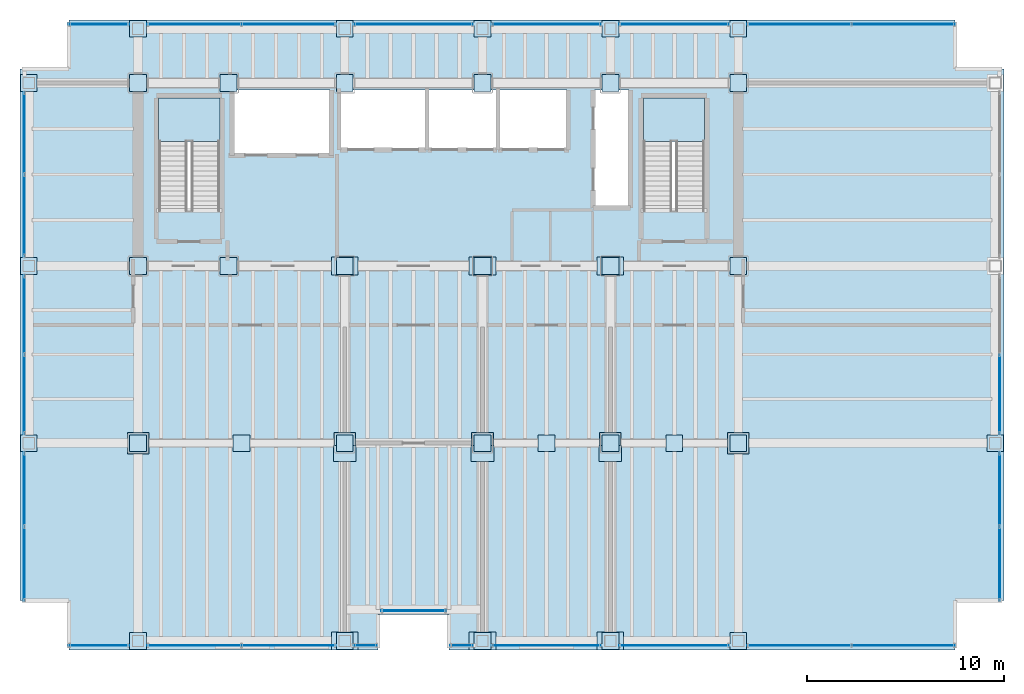
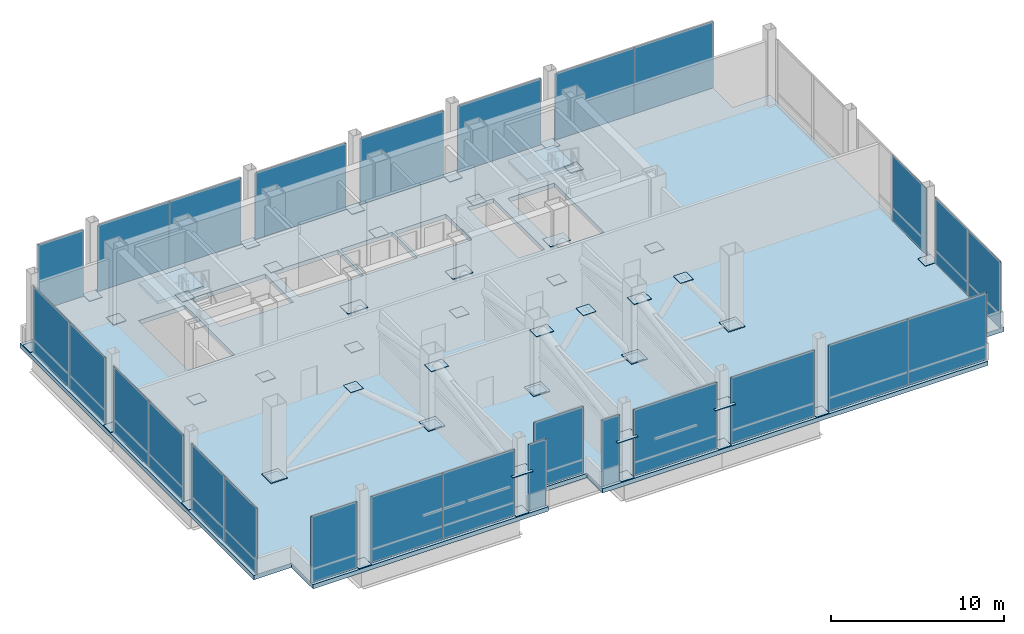
# One storey, part 17 of 20: 75 plates, 3 slabs, 7 openings, 21 elements without a shape of their own.
"""IFC4 building model written with IfcOpenShell, lengths in metres."""

from ifc_helpers import new_model, si_unit, direction, frame, origin, origin_2d, place, context, subcontext, project, spatial, polyline, rectangle, outline, extrude, material, layer, layer_set, type_object, element, aggregate, save


model = new_model("IFC4")

# Units and contexts
model_context = context("Model", 3, precision=1e-05, world=origin(), true_north=direction((0.0, 1.0)))
body_context = subcontext(model_context, "Body", "Model", "MODEL_VIEW")
ifc_project = project(units=[si_unit("LENGTHUNIT", "METRE"), si_unit("AREAUNIT", "SQUARE_METRE"), si_unit("VOLUMEUNIT", "CUBIC_METRE"), si_unit("PLANEANGLEUNIT", "RADIAN"), si_unit("MASSUNIT", "GRAM", prefix="KILO")], contexts=[model_context])

# Site, building, storey
site_placement = place(None, origin())
site = spatial("IfcSite", under=ifc_project, at=site_placement, CompositionType="ELEMENT")
building_placement = place(site_placement, origin())
building = spatial("IfcBuilding", under=site, at=building_placement, Name="Noeulbin Bourse Tower", CompositionType="ELEMENT")
storey_placement = place(building_placement, frame((0.0, 0.0, 100.60009765625)))
storey = spatial("IfcBuildingStorey", under=building, at=storey_placement, Name="L25", CompositionType="ELEMENT", Elevation=100.60009765625)

# Curtain wall, plate
ifc_material_1 = material(Name="Translucent Ceramic-Fritted Glass", Category="glass")
curtain_wall_type = type_object("IfcCurtainWallType", Name="CW-SYS-5", PredefinedType="NOTDEFINED", material=ifc_material_1)
curtain_wall_1_placement = place(storey_placement, origin())
curtain_wall_1 = element("IfcCurtainWall", 1, at=curtain_wall_1_placement, inside=storey, type_object=curtain_wall_type, Name="Unitised Curtain Wall CW-L25-SREC", PredefinedType="NOTDEFINED")
ifc_layer_1 = layer(ifc_material_1, 0.035888671875)
ifc_layer_set_1 = layer_set([ifc_layer_1], Name="Translucent Ceramic-Fritted Glass")
plate_type_1 = type_object("IfcPlateType", Name="CW-SYS-5-PNL", PredefinedType="CURTAIN_PANEL", material=ifc_layer_set_1)
plate_1_placement = place(storey_placement, frame((27.5, 11.47998046875, 0.0), z_axis=(0.0, 0.0, 1.0), x_axis=(1.0, 0.0, 0.0)))
plate_1 = element("IfcPlate", 2, at=plate_1_placement, type_object=plate_type_1, Name="Glazed Curtain Panel CW-L25-SREC-P00", PredefinedType="CURTAIN_PANEL", context=body_context, shape_type="SweptSolid", body=[
    extrude(rectangle(XDim=3.300048828125, YDim=0.035888671875, at=origin_2d()), origin(), (0.0, 0.0, 1.0), 4.679931640625),
])
aggregate(curtain_wall_1, [plate_1])

curtain_wall_2_placement = place(storey_placement, origin())
curtain_wall_2 = element("IfcCurtainWall", 3, at=curtain_wall_2_placement, inside=storey, type_object=curtain_wall_type, Name="Unitised Curtain Wall CW-L25-S1-S1", PredefinedType="NOTDEFINED")
plate_2_placement = place(storey_placement, frame((11.510009765625, 9.719970703125, 0.0), z_axis=(0.0, 0.0, 1.0), x_axis=(1.0, 0.0, 0.0)))
plate_2 = element("IfcPlate", 4, at=plate_2_placement, type_object=plate_type_1, Name="Glazed Curtain Panel CW-L25-S1-S1-P00", PredefinedType="CURTAIN_PANEL", context=body_context, shape_type="SweptSolid", body=[
    extrude(rectangle(XDim=3.06005859375, YDim=0.035888671875, at=origin_2d()), origin(), (0.0, 0.0, 1.0), 4.679931640625),
])
aggregate(curtain_wall_2, [plate_2])

# Curtain wall, plates
curtain_wall_3_placement = place(storey_placement, origin())
curtain_wall_3 = element("IfcCurtainWall", 5, at=curtain_wall_3_placement, inside=storey, type_object=curtain_wall_type, Name="Unitised Curtain Wall CW-L25-S1-S2", PredefinedType="NOTDEFINED")
plate_3_placement = place(storey_placement, frame((16.35498046875, 9.719970703125, 0.0), z_axis=(0.0, 0.0, 1.0), x_axis=(1.0, 0.0, 0.0)))
plate_3 = element("IfcPlate", 6, at=plate_3_placement, type_object=plate_type_1, Name="Glazed Curtain Panel CW-L25-S1-S2-P00", PredefinedType="CURTAIN_PANEL", context=body_context, shape_type="SweptSolid", body=[
    extrude(rectangle(XDim=4.7900390625, YDim=0.035888671875, at=origin_2d()), origin(), (0.0, 0.0, 1.0), 4.679931640625),
])
plate_4_placement = place(storey_placement, frame((21.14501953125, 9.719970703125, 0.0), z_axis=(0.0, 0.0, 1.0), x_axis=(1.0, 0.0, 0.0)))
plate_4 = element("IfcPlate", 7, at=plate_4_placement, type_object=plate_type_1, Name="Glazed Curtain Panel CW-L25-S1-S2-P01", PredefinedType="CURTAIN_PANEL", context=body_context, shape_type="SweptSolid", body=[
    extrude(rectangle(XDim=4.7900390625, YDim=0.035888671875, at=origin_2d()), origin(), (0.0, 0.0, 1.0), 4.679931640625),
])
aggregate(curtain_wall_3, [plate_3, plate_4])

# Curtain wall, plate
curtain_wall_4_placement = place(storey_placement, origin())
curtain_wall_4 = element("IfcCurtainWall", 8, at=curtain_wall_4_placement, inside=storey, type_object=curtain_wall_type, Name="Unitised Curtain Wall CW-L25-S1-S3", PredefinedType="NOTDEFINED")
plate_5_placement = place(storey_placement, frame((25.054931640625, 9.719970703125, 0.0), z_axis=(0.0, 0.0, 1.0), x_axis=(1.0, 0.0, 0.0)))
plate_5 = element("IfcPlate", 9, at=plate_5_placement, type_object=plate_type_1, Name="Glazed Curtain Panel CW-L25-S1-S3-P00", PredefinedType="CURTAIN_PANEL", context=body_context, shape_type="SweptSolid", body=[
    extrude(rectangle(XDim=1.18994140625, YDim=0.035888671875, at=origin_2d()), origin(), (0.0, 0.0, 1.0), 4.679931640625),
])
aggregate(curtain_wall_4, [plate_5])

curtain_wall_5_placement = place(storey_placement, origin())
curtain_wall_5 = element("IfcCurtainWall", 10, at=curtain_wall_5_placement, inside=storey, type_object=curtain_wall_type, Name="Unitised Curtain Wall CW-L25-S2-S1", PredefinedType="NOTDEFINED")
plate_6_placement = place(storey_placement, frame((29.945068359375, 9.719970703125, 0.0), z_axis=(0.0, 0.0, 1.0), x_axis=(1.0, 0.0, 0.0)))
plate_6 = element("IfcPlate", 11, at=plate_6_placement, type_object=plate_type_1, Name="Glazed Curtain Panel CW-L25-S2-S1-P00", PredefinedType="CURTAIN_PANEL", context=body_context, shape_type="SweptSolid", body=[
    extrude(rectangle(XDim=1.18994140625, YDim=0.035888671875, at=origin_2d()), origin(), (0.0, 0.0, 1.0), 4.679931640625),
])
aggregate(curtain_wall_5, [plate_6])

curtain_wall_6_placement = place(storey_placement, origin())
curtain_wall_6 = element("IfcCurtainWall", 12, at=curtain_wall_6_placement, inside=storey, type_object=curtain_wall_type, Name="Unitised Curtain Wall CW-L25-S2-S2", PredefinedType="NOTDEFINED")
plate_7_placement = place(storey_placement, frame((34.25, 9.719970703125, 0.0), z_axis=(0.0, 0.0, 1.0), x_axis=(1.0, 0.0, 0.0)))
plate_7 = element("IfcPlate", 13, at=plate_7_placement, type_object=plate_type_1, Name="Glazed Curtain Panel CW-L25-S2-S2-P00", PredefinedType="CURTAIN_PANEL", context=body_context, shape_type="SweptSolid", body=[
    extrude(rectangle(XDim=5.580078125, YDim=0.035888671875, at=origin_2d()), origin(), (0.0, 0.0, 1.0), 4.679931640625),
])
aggregate(curtain_wall_6, [plate_7])

curtain_wall_7_placement = place(storey_placement, origin())
curtain_wall_7 = element("IfcCurtainWall", 14, at=curtain_wall_7_placement, inside=storey, type_object=curtain_wall_type, Name="Unitised Curtain Wall CW-L25-S2-S3", PredefinedType="NOTDEFINED")
plate_8_placement = place(storey_placement, frame((40.75, 9.719970703125, 0.0), z_axis=(0.0, 0.0, 1.0), x_axis=(1.0, 0.0, 0.0)))
plate_8 = element("IfcPlate", 15, at=plate_8_placement, type_object=plate_type_1, Name="Glazed Curtain Panel CW-L25-S2-S3-P00", PredefinedType="CURTAIN_PANEL", context=body_context, shape_type="SweptSolid", body=[
    extrude(rectangle(XDim=5.580078125, YDim=0.035888671875, at=origin_2d()), origin(), (0.0, 0.0, 1.0), 4.679931640625),
])
aggregate(curtain_wall_7, [plate_8])

# Curtain wall, plates
curtain_wall_8_placement = place(storey_placement, origin())
curtain_wall_8 = element("IfcCurtainWall", 16, at=curtain_wall_8_placement, inside=storey, type_object=curtain_wall_type, Name="Unitised Curtain Wall CW-L25-S2-S4", PredefinedType="NOTDEFINED")
plate_9_placement = place(storey_placement, frame((47.10009765625, 9.719970703125, 0.0), z_axis=(0.0, 0.0, 1.0), x_axis=(1.0, 0.0, 0.0)))
plate_9 = element("IfcPlate", 17, at=plate_9_placement, type_object=plate_type_1, Name="Glazed Curtain Panel CW-L25-S2-S4-P00", PredefinedType="CURTAIN_PANEL", context=body_context, shape_type="SweptSolid", body=[
    extrude(rectangle(XDim=5.280029296875, YDim=0.035888671875, at=origin_2d()), origin(), (0.0, 0.0, 1.0), 4.679931640625),
])
plate_10_placement = place(storey_placement, frame((52.3798828125, 9.719970703125, 0.0), z_axis=(0.0, 0.0, 1.0), x_axis=(1.0, 0.0, 0.0)))
plate_10 = element("IfcPlate", 18, at=plate_10_placement, type_object=plate_type_1, Name="Glazed Curtain Panel CW-L25-S2-S4-P01", PredefinedType="CURTAIN_PANEL", context=body_context, shape_type="SweptSolid", body=[
    extrude(rectangle(XDim=5.280029296875, YDim=0.035888671875, at=origin_2d()), origin(), (0.0, 0.0, 1.0), 4.679931640625),
])
aggregate(curtain_wall_8, [plate_9, plate_10])

# Curtain wall, plate
curtain_wall_9_placement = place(storey_placement, origin())
curtain_wall_9 = element("IfcCurtainWall", 19, at=curtain_wall_9_placement, inside=storey, type_object=curtain_wall_type, Name="Unitised Curtain Wall CW-L25-N-S1", PredefinedType="NOTDEFINED")
plate_11_placement = place(storey_placement, frame((11.510009765625, 41.280029296875, 0.0), z_axis=(0.0, 0.0, 1.0), x_axis=(1.0, 0.0, 0.0)))
plate_11 = element("IfcPlate", 20, at=plate_11_placement, type_object=plate_type_1, Name="Glazed Curtain Panel CW-L25-N-S1-P00", PredefinedType="CURTAIN_PANEL", context=body_context, shape_type="SweptSolid", body=[
    extrude(rectangle(XDim=3.06005859375, YDim=0.035888671875, at=origin_2d()), origin(), (0.0, 0.0, 1.0), 4.679931640625),
])
aggregate(curtain_wall_9, [plate_11])

# Curtain wall, plates
curtain_wall_10_placement = place(storey_placement, origin())
curtain_wall_10 = element("IfcCurtainWall", 21, at=curtain_wall_10_placement, inside=storey, type_object=curtain_wall_type, Name="Unitised Curtain Wall CW-L25-N-S2", PredefinedType="NOTDEFINED")
plate_12_placement = place(storey_placement, frame((16.35498046875, 41.280029296875, 0.0), z_axis=(0.0, 0.0, 1.0), x_axis=(1.0, 0.0, 0.0)))
plate_12 = element("IfcPlate", 22, at=plate_12_placement, type_object=plate_type_1, Name="Glazed Curtain Panel CW-L25-N-S2-P00", PredefinedType="CURTAIN_PANEL", context=body_context, shape_type="SweptSolid", body=[
    extrude(rectangle(XDim=4.7900390625, YDim=0.035888671875, at=origin_2d()), origin(), (0.0, 0.0, 1.0), 4.679931640625),
])
plate_13_placement = place(storey_placement, frame((21.14501953125, 41.280029296875, 0.0), z_axis=(0.0, 0.0, 1.0), x_axis=(1.0, 0.0, 0.0)))
plate_13 = element("IfcPlate", 23, at=plate_13_placement, type_object=plate_type_1, Name="Glazed Curtain Panel CW-L25-N-S2-P01", PredefinedType="CURTAIN_PANEL", context=body_context, shape_type="SweptSolid", body=[
    extrude(rectangle(XDim=4.7900390625, YDim=0.035888671875, at=origin_2d()), origin(), (0.0, 0.0, 1.0), 4.679931640625),
])
aggregate(curtain_wall_10, [plate_12, plate_13])

# Curtain wall, plate
curtain_wall_11_placement = place(storey_placement, origin())
curtain_wall_11 = element("IfcCurtainWall", 24, at=curtain_wall_11_placement, inside=storey, type_object=curtain_wall_type, Name="Unitised Curtain Wall CW-L25-N-S3", PredefinedType="NOTDEFINED")
plate_14_placement = place(storey_placement, frame((27.5, 41.280029296875, 0.0), z_axis=(0.0, 0.0, 1.0), x_axis=(1.0, 0.0, 0.0)))
plate_14 = element("IfcPlate", 25, at=plate_14_placement, type_object=plate_type_1, Name="Glazed Curtain Panel CW-L25-N-S3-P00", PredefinedType="CURTAIN_PANEL", context=body_context, shape_type="SweptSolid", body=[
    extrude(rectangle(XDim=6.080078125, YDim=0.035888671875, at=origin_2d()), origin(), (0.0, 0.0, 1.0), 4.679931640625),
])
aggregate(curtain_wall_11, [plate_14])

curtain_wall_12_placement = place(storey_placement, origin())
curtain_wall_12 = element("IfcCurtainWall", 26, at=curtain_wall_12_placement, inside=storey, type_object=curtain_wall_type, Name="Unitised Curtain Wall CW-L25-N-S4", PredefinedType="NOTDEFINED")
plate_15_placement = place(storey_placement, frame((34.25, 41.280029296875, 0.0), z_axis=(0.0, 0.0, 1.0), x_axis=(1.0, 0.0, 0.0)))
plate_15 = element("IfcPlate", 27, at=plate_15_placement, type_object=plate_type_1, Name="Glazed Curtain Panel CW-L25-N-S4-P00", PredefinedType="CURTAIN_PANEL", context=body_context, shape_type="SweptSolid", body=[
    extrude(rectangle(XDim=5.580078125, YDim=0.035888671875, at=origin_2d()), origin(), (0.0, 0.0, 1.0), 4.679931640625),
])
aggregate(curtain_wall_12, [plate_15])

curtain_wall_13_placement = place(storey_placement, origin())
curtain_wall_13 = element("IfcCurtainWall", 28, at=curtain_wall_13_placement, inside=storey, type_object=curtain_wall_type, Name="Unitised Curtain Wall CW-L25-N-S5", PredefinedType="NOTDEFINED")
plate_16_placement = place(storey_placement, frame((40.75, 41.280029296875, 0.0), z_axis=(0.0, 0.0, 1.0), x_axis=(1.0, 0.0, 0.0)))
plate_16 = element("IfcPlate", 29, at=plate_16_placement, type_object=plate_type_1, Name="Glazed Curtain Panel CW-L25-N-S5-P00", PredefinedType="CURTAIN_PANEL", context=body_context, shape_type="SweptSolid", body=[
    extrude(rectangle(XDim=5.580078125, YDim=0.035888671875, at=origin_2d()), origin(), (0.0, 0.0, 1.0), 4.679931640625),
])
aggregate(curtain_wall_13, [plate_16])

# Curtain wall, plates
curtain_wall_14_placement = place(storey_placement, origin())
curtain_wall_14 = element("IfcCurtainWall", 30, at=curtain_wall_14_placement, inside=storey, type_object=curtain_wall_type, Name="Unitised Curtain Wall CW-L25-N-S6", PredefinedType="NOTDEFINED")
plate_17_placement = place(storey_placement, frame((47.10009765625, 41.280029296875, 0.0), z_axis=(0.0, 0.0, 1.0), x_axis=(1.0, 0.0, 0.0)))
plate_17 = element("IfcPlate", 31, at=plate_17_placement, type_object=plate_type_1, Name="Glazed Curtain Panel CW-L25-N-S6-P00", PredefinedType="CURTAIN_PANEL", context=body_context, shape_type="SweptSolid", body=[
    extrude(rectangle(XDim=5.280029296875, YDim=0.035888671875, at=origin_2d()), origin(), (0.0, 0.0, 1.0), 4.679931640625),
])
plate_18_placement = place(storey_placement, frame((52.3798828125, 41.280029296875, 0.0), z_axis=(0.0, 0.0, 1.0), x_axis=(1.0, 0.0, 0.0)))
plate_18 = element("IfcPlate", 32, at=plate_18_placement, type_object=plate_type_1, Name="Glazed Curtain Panel CW-L25-N-S6-P01", PredefinedType="CURTAIN_PANEL", context=body_context, shape_type="SweptSolid", body=[
    extrude(rectangle(XDim=5.280029296875, YDim=0.035888671875, at=origin_2d()), origin(), (0.0, 0.0, 1.0), 4.679931640625),
])
aggregate(curtain_wall_14, [plate_17, plate_18])

curtain_wall_15_placement = place(storey_placement, origin())
curtain_wall_15 = element("IfcCurtainWall", 33, at=curtain_wall_15_placement, inside=storey, type_object=curtain_wall_type, Name="Unitised Curtain Wall CW-L25-W-S1", PredefinedType="NOTDEFINED")
plate_19_placement = place(storey_placement, frame((7.719970703125, 13.8701171875, 0.0), z_axis=(0.0, 0.0, 1.0), x_axis=(0.0, 1.0, 0.0)))
plate_19 = element("IfcPlate", 34, at=plate_19_placement, type_object=plate_type_1, Name="Glazed Curtain Panel CW-L25-W-S1-P00", PredefinedType="CURTAIN_PANEL", context=body_context, shape_type="SweptSolid", body=[
    extrude(rectangle(XDim=3.780029296875, YDim=0.035888671875, at=origin_2d()), origin(), (0.0, 0.0, 1.0), 4.679931640625),
])
plate_20_placement = place(storey_placement, frame((7.719970703125, 17.64990234375, 0.0), z_axis=(0.0, 0.0, 1.0), x_axis=(0.0, 1.0, 0.0)))
plate_20 = element("IfcPlate", 35, at=plate_20_placement, type_object=plate_type_1, Name="Glazed Curtain Panel CW-L25-W-S1-P01", PredefinedType="CURTAIN_PANEL", context=body_context, shape_type="SweptSolid", body=[
    extrude(rectangle(XDim=3.780029296875, YDim=0.035888671875, at=origin_2d()), origin(), (0.0, 0.0, 1.0), 4.679931640625),
])
aggregate(curtain_wall_15, [plate_19, plate_20])

curtain_wall_16_placement = place(storey_placement, origin())
curtain_wall_16 = element("IfcCurtainWall", 36, at=curtain_wall_16_placement, inside=storey, type_object=curtain_wall_type, Name="Unitised Curtain Wall CW-L25-W-S2", PredefinedType="NOTDEFINED")
plate_21_placement = place(storey_placement, frame((7.719970703125, 22.47998046875, 0.0), z_axis=(0.0, 0.0, 1.0), x_axis=(0.0, 1.0, 0.0)))
plate_21 = element("IfcPlate", 37, at=plate_21_placement, type_object=plate_type_1, Name="Glazed Curtain Panel CW-L25-W-S2-P00", PredefinedType="CURTAIN_PANEL", context=body_context, shape_type="SweptSolid", body=[
    extrude(rectangle(XDim=4.0400390625, YDim=0.035888671875, at=origin_2d()), origin(), (0.0, 0.0, 1.0), 4.679931640625),
])
plate_22_placement = place(storey_placement, frame((7.719970703125, 26.52001953125, 0.0), z_axis=(0.0, 0.0, 1.0), x_axis=(0.0, 1.0, 0.0)))
plate_22 = element("IfcPlate", 38, at=plate_22_placement, type_object=plate_type_1, Name="Glazed Curtain Panel CW-L25-W-S2-P01", PredefinedType="CURTAIN_PANEL", context=body_context, shape_type="SweptSolid", body=[
    extrude(rectangle(XDim=4.0400390625, YDim=0.035888671875, at=origin_2d()), origin(), (0.0, 0.0, 1.0), 4.679931640625),
])
aggregate(curtain_wall_16, [plate_21, plate_22])

curtain_wall_17_placement = place(storey_placement, origin())
curtain_wall_17 = element("IfcCurtainWall", 39, at=curtain_wall_17_placement, inside=storey, type_object=curtain_wall_type, Name="Unitised Curtain Wall CW-L25-W-S3", PredefinedType="NOTDEFINED")
plate_23_placement = place(storey_placement, frame((7.719970703125, 31.554931640625, 0.0), z_axis=(0.0, 0.0, 1.0), x_axis=(0.0, 1.0, 0.0)))
plate_23 = element("IfcPlate", 40, at=plate_23_placement, type_object=plate_type_1, Name="Glazed Curtain Panel CW-L25-W-S3-P00", PredefinedType="CURTAIN_PANEL", context=body_context, shape_type="SweptSolid", body=[
    extrude(rectangle(XDim=4.18994140625, YDim=0.035888671875, at=origin_2d()), origin(), (0.0, 0.0, 1.0), 4.679931640625),
])
plate_24_placement = place(storey_placement, frame((7.719970703125, 35.7451171875, 0.0), z_axis=(0.0, 0.0, 1.0), x_axis=(0.0, 1.0, 0.0)))
plate_24 = element("IfcPlate", 41, at=plate_24_placement, type_object=plate_type_1, Name="Glazed Curtain Panel CW-L25-W-S3-P01", PredefinedType="CURTAIN_PANEL", context=body_context, shape_type="SweptSolid", body=[
    extrude(rectangle(XDim=4.18994140625, YDim=0.035888671875, at=origin_2d()), origin(), (0.0, 0.0, 1.0), 4.679931640625),
])
aggregate(curtain_wall_17, [plate_23, plate_24])

curtain_wall_18_placement = place(storey_placement, origin())
curtain_wall_18 = element("IfcCurtainWall", 42, at=curtain_wall_18_placement, inside=storey, type_object=curtain_wall_type, Name="Unitised Curtain Wall CW-L25-E-S1", PredefinedType="NOTDEFINED")
plate_25_placement = place(storey_placement, frame((57.280029296875, 13.8701171875, 0.0), z_axis=(0.0, 0.0, 1.0), x_axis=(0.0, 1.0, 0.0)))
plate_25 = element("IfcPlate", 43, at=plate_25_placement, type_object=plate_type_1, Name="Glazed Curtain Panel CW-L25-E-S1-P00", PredefinedType="CURTAIN_PANEL", context=body_context, shape_type="SweptSolid", body=[
    extrude(rectangle(XDim=3.780029296875, YDim=0.035888671875, at=origin_2d()), origin(), (0.0, 0.0, 1.0), 4.679931640625),
])
plate_26_placement = place(storey_placement, frame((57.280029296875, 17.64990234375, 0.0), z_axis=(0.0, 0.0, 1.0), x_axis=(0.0, 1.0, 0.0)))
plate_26 = element("IfcPlate", 44, at=plate_26_placement, type_object=plate_type_1, Name="Glazed Curtain Panel CW-L25-E-S1-P01", PredefinedType="CURTAIN_PANEL", context=body_context, shape_type="SweptSolid", body=[
    extrude(rectangle(XDim=3.780029296875, YDim=0.035888671875, at=origin_2d()), origin(), (0.0, 0.0, 1.0), 4.679931640625),
])
aggregate(curtain_wall_18, [plate_25, plate_26])

# Curtain wall, plate
curtain_wall_19_placement = place(storey_placement, origin())
curtain_wall_19 = element("IfcCurtainWall", 45, at=curtain_wall_19_placement, inside=storey, type_object=curtain_wall_type, Name="Unitised Curtain Wall CW-L25-E-S2", PredefinedType="NOTDEFINED")
plate_27_placement = place(storey_placement, frame((57.280029296875, 22.47998046875, 0.0), z_axis=(0.0, 0.0, 1.0), x_axis=(0.0, 1.0, 0.0)))
plate_27 = element("IfcPlate", 46, at=plate_27_placement, type_object=plate_type_1, Name="Glazed Curtain Panel CW-L25-E-S2-P00", PredefinedType="CURTAIN_PANEL", context=body_context, shape_type="SweptSolid", body=[
    extrude(rectangle(XDim=4.0400390625, YDim=0.035888671875, at=origin_2d()), origin(), (0.0, 0.0, 1.0), 4.679931640625),
])
aggregate(curtain_wall_19, [plate_27])

# Plates
ifc_material_2 = material(Name="Steel S355", Category="steel")
ifc_layer_2 = layer(ifc_material_2, 0.030029296875)
ifc_layer_set_2 = layer_set([ifc_layer_2], Name="Steel S355")
plate_type_2 = type_object("IfcPlateType", Name="PLT-BN1", PredefinedType="USERDEFINED", material=ifc_layer_set_2)
for number, where, z_axis, x_axis, name in (
    (47, (13.5, 29.0, 0.0048828125), (0.0, 0.0, 1.0), (1.0, 0.0, 0.0), "Mega-Column Splice Plate BN1-L25-01"),
    (48, (13.5, 38.300048828125, 0.0048828125), (0.0, 0.0, 1.0), (1.0, 0.0, 0.0), "Mega-Column Splice Plate BN1-L25-02"),
    (49, (18.10009765625, 29.0, 0.0048828125), (0.0, 0.0, 1.0), (1.0, 0.0, 0.0), "Mega-Column Splice Plate BN1-L25-03"),
    (50, (18.10009765625, 38.300048828125, 0.0048828125), (0.0, 0.0, 1.0), (1.0, 0.0, 0.0), "Mega-Column Splice Plate BN1-L25-04"),
    (51, (24.0, 29.0, 0.0048828125), (0.0, 0.0, 1.0), (1.0, 0.0, 0.0), "Mega-Column Splice Plate BN1-L25-05"),
    (52, (24.0, 38.300048828125, 0.0048828125), (0.0, 0.0, 1.0), (1.0, 0.0, 0.0), "Mega-Column Splice Plate BN1-L25-06"),
    (53, (31.0, 29.0, 0.0048828125), (0.0, 0.0, 1.0), (1.0, 0.0, 0.0), "Mega-Column Splice Plate BN1-L25-07"),
    (54, (31.0, 38.300048828125, 0.0048828125), (0.0, 0.0, 1.0), (1.0, 0.0, 0.0), "Mega-Column Splice Plate BN1-L25-08"),
    (55, (37.5, 29.0, 0.0048828125), (0.0, 0.0, 1.0), (1.0, 0.0, 0.0), "Mega-Column Splice Plate BN1-L25-09"),
    (56, (37.5, 38.300048828125, 0.0048828125), (0.0, 0.0, 1.0), (1.0, 0.0, 0.0), "Mega-Column Splice Plate BN1-L25-10"),
    (57, (44.0, 29.0, 0.0048828125), (0.0, 0.0, 1.0), (1.0, 0.0, 0.0), "Mega-Column Splice Plate BN1-L25-11"),
    (58, (44.0, 38.300048828125, 0.0048828125), (0.0, 0.0, 1.0), (1.0, 0.0, 0.0), "Mega-Column Splice Plate BN1-L25-12"),
    (59, (13.5, 20.0, 0.0048828125), (0.0, 0.0, 1.0), (1.0, 0.0, 0.0), "Mega-Column Splice Plate BN1-L25-13"),
    (60, (24.0, 20.0, 0.0048828125), (0.0, 0.0, 1.0), (1.0, 0.0, 0.0), "Mega-Column Splice Plate BN1-L25-14"),
    (61, (31.0, 20.0, 0.0048828125), (0.0, 0.0, 1.0), (1.0, 0.0, 0.0), "Mega-Column Splice Plate BN1-L25-15"),
    (62, (37.5, 20.0, 0.0048828125), (0.0, 0.0, 1.0), (1.0, 0.0, 0.0), "Mega-Column Splice Plate BN1-L25-16"),
    (63, (44.0, 20.0, 0.0048828125), (0.0, 0.0, 1.0), (1.0, 0.0, 0.0), "Mega-Column Splice Plate BN1-L25-17"),
    (64, (7.949951171875, 20.0, 0.0048828125), (0.0, 0.0, 1.0), (1.0, 0.0, 0.0), "Perimeter Column Splice Plate BN1-L25-01"),
    (65, (7.949951171875, 29.0, 0.0048828125), (0.0, 0.0, 1.0), (1.0, 0.0, 0.0), "Perimeter Column Splice Plate BN1-L25-02"),
    (66, (7.949951171875, 38.300048828125, 0.0048828125), (0.0, 0.0, 1.0), (1.0, 0.0, 0.0), "Perimeter Column Splice Plate BN1-L25-03"),
    (67, (13.5, 9.949951171875, 0.0048828125), (0.0, 0.0, 1.0), (1.0, 0.0, 0.0), "Perimeter Column Splice Plate BN1-L25-04"),
    (68, (13.5, 41.050048828125, 0.0048828125), (0.0, 0.0, 1.0), (1.0, 0.0, 0.0), "Perimeter Column Splice Plate BN1-L25-05"),
    (69, (24.0, 9.949951171875, 0.0048828125), (0.0, 0.0, 1.0), (1.0, 0.0, 0.0), "Perimeter Column Splice Plate BN1-L25-06"),
    (70, (24.0, 41.050048828125, 0.0048828125), (0.0, 0.0, 1.0), (1.0, 0.0, 0.0), "Perimeter Column Splice Plate BN1-L25-07"),
    (71, (31.0, 9.949951171875, 0.0048828125), (0.0, 0.0, 1.0), (1.0, 0.0, 0.0), "Perimeter Column Splice Plate BN1-L25-08"),
    (72, (31.0, 41.050048828125, 0.0048828125), (0.0, 0.0, 1.0), (1.0, 0.0, 0.0), "Perimeter Column Splice Plate BN1-L25-09"),
    (73, (37.5, 9.949951171875, 0.0048828125), (0.0, 0.0, 1.0), (1.0, 0.0, 0.0), "Perimeter Column Splice Plate BN1-L25-10"),
    (74, (37.5, 41.050048828125, 0.0048828125), (0.0, 0.0, 1.0), (1.0, 0.0, 0.0), "Perimeter Column Splice Plate BN1-L25-11"),
    (75, (44.0, 9.949951171875, 0.0048828125), (0.0, 0.0, 1.0), (1.0, 0.0, 0.0), "Perimeter Column Splice Plate BN1-L25-12"),
    (76, (44.0, 41.050048828125, 0.0048828125), (0.0, 0.0, 1.0), (1.0, 0.0, 0.0), "Perimeter Column Splice Plate BN1-L25-13"),
    (77, (57.050048828125, 20.0, 0.0048828125), (0.0, 0.0, 1.0), (1.0, 0.0, 0.0), "Perimeter Column Splice Plate BN1-L25-14"),
    (78, (18.75, 20.0, 4.48486328125), (0.0, 0.0, 1.0), (1.0, 0.0, 0.0), "Belt Truss Apex Splice Plate BN1-L25-1"),
    (79, (34.25, 20.0, 4.48486328125), (0.0, 0.0, 1.0), (1.0, 0.0, 0.0), "Belt Truss Apex Splice Plate BN1-L25-2"),
    (80, (40.75, 20.0, 4.48486328125), (0.0, 0.0, 1.0), (1.0, 0.0, 0.0), "Belt Truss Apex Splice Plate BN1-L25-3"),
):
    element("IfcPlate", number, at=place(storey_placement, frame(where, z_axis=z_axis, x_axis=x_axis)), inside=storey, type_object=plate_type_2, Name=name, ObjectType="SPLICE PLATE", PredefinedType="USERDEFINED", context=body_context, shape_type="SweptSolid", body=[
        extrude(rectangle(XDim=0.85009765625, YDim=0.85009765625, at=origin_2d()), origin(), (0.0, 0.0, 1.0), 0.030029296875),
    ])
ifc_material_3 = material(Name="Steel S460", Category="steel")
ifc_layer_3 = layer(ifc_material_3, 0.035888671875)
ifc_layer_set_3 = layer_set([ifc_layer_3], Name="Steel S460")
plate_type_3 = type_object("IfcPlateType", Name="PLT-KN2", PredefinedType="USERDEFINED", material=ifc_layer_set_3)
for number, where, z_axis, x_axis, name in (
    (81, (13.5, 20.0, 0.0419921875), (0.0, 0.0, 1.0), (1.0, 0.0, 0.0), "Belt Truss West Gusset Plate KN2-L25-1A"),
    (82, (24.0, 20.0, 0.0419921875), (0.0, 0.0, 1.0), (1.0, 0.0, 0.0), "Belt Truss East Gusset Plate KN2-L25-1B"),
    (83, (31.0, 20.0, 0.0419921875), (0.0, 0.0, 1.0), (1.0, 0.0, 0.0), "Belt Truss West Gusset Plate KN2-L25-2A"),
    (84, (37.5, 20.0, 0.0419921875), (0.0, 0.0, 1.0), (1.0, 0.0, 0.0), "Belt Truss East Gusset Plate KN2-L25-2B"),
    (85, (44.0, 20.0, 0.0419921875), (0.0, 0.0, 1.0), (1.0, 0.0, 0.0), "Belt Truss East Gusset Plate KN2-L25-3B"),
):
    element("IfcPlate", number, at=place(storey_placement, frame(where, z_axis=z_axis, x_axis=x_axis)), inside=storey, type_object=plate_type_3, Name=name, ObjectType="GUSSET PLATE", PredefinedType="USERDEFINED", context=body_context, shape_type="SweptSolid", body=[
        extrude(rectangle(XDim=1.10009765625, YDim=1.10009765625, at=origin_2d()), origin(), (0.0, 0.0, 1.0), 0.035888671875),
    ])
ifc_layer_4 = layer(ifc_material_3, 0.0400390625)
ifc_layer_set_4 = layer_set([ifc_layer_4], Name="Steel S460")
plate_type_4 = type_object("IfcPlateType", Name="PLT-ON1", PredefinedType="USERDEFINED", material=ifc_layer_set_4)
for number, where, z_axis, x_axis, name in (
    (86, (24.0, 29.0, 2.829833984375), (0.0, 0.0, 1.0), (1.0, 0.0, 0.0), "Outrigger North Gusset Plate ON1-L25-1A"),
    (87, (24.0, 9.949951171875, 2.829833984375), (0.0, 0.0, 1.0), (1.0, 0.0, 0.0), "Outrigger South Gusset Plate ON1-L25-1B"),
    (88, (31.0, 29.0, 2.829833984375), (0.0, 0.0, 1.0), (1.0, 0.0, 0.0), "Outrigger North Gusset Plate ON1-L25-2A"),
    (89, (31.0, 9.949951171875, 2.829833984375), (0.0, 0.0, 1.0), (1.0, 0.0, 0.0), "Outrigger South Gusset Plate ON1-L25-2B"),
    (90, (37.5, 29.0, 2.829833984375), (0.0, 0.0, 1.0), (1.0, 0.0, 0.0), "Outrigger North Gusset Plate ON1-L25-3A"),
    (91, (37.5, 9.949951171875, 2.829833984375), (0.0, 0.0, 1.0), (1.0, 0.0, 0.0), "Outrigger South Gusset Plate ON1-L25-3B"),
):
    element("IfcPlate", number, at=place(storey_placement, frame(where, z_axis=z_axis, x_axis=x_axis)), inside=storey, type_object=plate_type_4, Name=name, ObjectType="GUSSET PLATE", PredefinedType="USERDEFINED", context=body_context, shape_type="SweptSolid", body=[
        extrude(rectangle(XDim=1.35009765625, YDim=0.89990234375, at=origin_2d()), origin(), (0.0, 0.0, 1.0), 0.0400390625),
    ])
ifc_layer_5 = layer(ifc_material_3, 0.035888671875)
ifc_layer_set_5 = layer_set([ifc_layer_5], Name="Steel S460")
plate_type_5 = type_object("IfcPlateType", Name="PLT-ON2", PredefinedType="USERDEFINED", material=ifc_layer_set_5)
for number, where, z_axis, x_axis, name in (
    (92, (24.0, 19.47509765625, 4.48193359375), (0.0, 0.0, 1.0), (1.0, 0.0, 0.0), "Outrigger Apex Gusset Plate ON2-L25-1"),
    (93, (31.0, 19.47509765625, 4.48193359375), (0.0, 0.0, 1.0), (1.0, 0.0, 0.0), "Outrigger Apex Gusset Plate ON2-L25-2"),
    (94, (37.5, 19.47509765625, 4.48193359375), (0.0, 0.0, 1.0), (1.0, 0.0, 0.0), "Outrigger Apex Gusset Plate ON2-L25-3"),
):
    element("IfcPlate", number, at=place(storey_placement, frame(where, z_axis=z_axis, x_axis=x_axis)), inside=storey, type_object=plate_type_5, Name=name, ObjectType="GUSSET PLATE", PredefinedType="USERDEFINED", context=body_context, shape_type="SweptSolid", body=[
        extrude(rectangle(XDim=1.14990234375, YDim=0.800048828125, at=origin_2d()), origin(), (0.0, 0.0, 1.0), 0.035888671875),
    ])

# Stair, slab
ifc_material_4 = material(Name="Concrete C40/50", Category="concrete")
stair_type = type_object("IfcStairType", Name="STR-CORE-1560", PredefinedType="HALF_TURN_STAIR", material=ifc_material_4)
stair_1_placement = place(storey_placement, origin())
stair_1 = element("IfcStair", 95, at=stair_1_placement, inside=storey, type_object=stair_type, Name="L25 ST-1", PredefinedType="HALF_TURN_STAIR")
ifc_layer_6 = layer(ifc_material_4, 0.199951171875)
ifc_layer_set_6 = layer_set([ifc_layer_6], Name="Concrete C40/50")
slab_type_1 = type_object("IfcSlabType", Name="SLB-LND-200", PredefinedType="LANDING", material=ifc_layer_set_6)
slab_1_placement = place(storey_placement, frame((0.0, 0.0, 2.5)))
slab_1 = element("IfcSlab", 96, at=slab_1_placement, type_object=slab_type_1, Name="ST-1 landing 1", PredefinedType="LANDING", context=body_context, shape_type="SweptSolid", body=[
    extrude(outline(polyline([(17.64990234375, 35.337890625), (17.64990234375, 37.5439453125), (14.550048828125, 37.5439453125), (14.550048828125, 35.337890625), (17.64990234375, 35.337890625)])), origin(), (0.0, 0.0, 1.0), 0.199951171875),
])
aggregate(stair_1, [slab_1])

stair_2_placement = place(storey_placement, origin())
stair_2 = element("IfcStair", 97, at=stair_2_placement, inside=storey, type_object=stair_type, Name="L25 ST-2", PredefinedType="HALF_TURN_STAIR")
slab_2_placement = place(storey_placement, frame((0.0, 0.0, 2.5)))
slab_2 = element("IfcSlab", 98, at=slab_2_placement, type_object=slab_type_1, Name="ST-2 landing 1", PredefinedType="LANDING", context=body_context, shape_type="SweptSolid", body=[
    extrude(outline(polyline([(42.280029296875, 35.337890625), (42.280029296875, 37.5439453125), (39.179931640625, 37.5439453125), (39.179931640625, 35.337890625), (42.280029296875, 35.337890625)])), origin(), (0.0, 0.0, 1.0), 0.199951171875),
])
aggregate(stair_2, [slab_2])

# Slab, openings
ifc_material_5 = material(Name="Concrete C50/60", Category="concrete")
ifc_layer_7 = layer(ifc_material_5, 0.300048828125)
ifc_layer_set_7 = layer_set([ifc_layer_7], Name="Concrete C50/60")
slab_type_2 = type_object("IfcSlabType", Name="SLB-OUT-300", PredefinedType="FLOOR", material=ifc_layer_set_7)
slab_3_placement = place(storey_placement, frame((0.0, 0.0, -0.300048828125)))
slab_3 = element("IfcSlab", 99, at=slab_3_placement, inside=storey, type_object=slab_type_2, Name="Tower Structural Floor Slab L25", PredefinedType="FLOOR", context=body_context, shape_type="SweptSolid", body=[
    extrude(outline(polyline([(10.0, 9.5), (25.699951171875, 9.5), (25.699951171875, 11.300048828125), (29.300048828125, 11.300048828125), (29.300048828125, 9.5), (55.0, 9.5), (55.0, 12.0), (57.5, 12.0), (57.5, 39.0), (55.0, 39.0), (55.0, 41.5), (10.0, 41.5), (10.0, 39.0), (7.5, 39.0), (7.5, 12.0), (10.0, 12.0), (10.0, 9.5)]), holes=[polyline([(17.64990234375, 31.81005859375), (17.64990234375, 37.5439453125), (14.550048828125, 37.5439453125), (14.550048828125, 31.81005859375), (17.64990234375, 31.81005859375)]), polyline([(42.280029296875, 31.81005859375), (42.280029296875, 37.5439453125), (39.179931640625, 37.5439453125), (39.179931640625, 31.81005859375), (42.280029296875, 31.81005859375)]), polyline([(18.35009765625, 34.699951171875), (23.25, 34.699951171875), (23.25, 37.949951171875), (18.35009765625, 37.949951171875), (18.35009765625, 34.699951171875)]), polyline([(36.699951171875, 32.050048828125), (38.449951171875, 32.050048828125), (38.449951171875, 37.949951171875), (36.699951171875, 37.949951171875), (36.699951171875, 32.050048828125)]), polyline([(23.800048828125, 35.0), (28.10009765625, 35.0), (28.10009765625, 37.949951171875), (23.800048828125, 37.949951171875), (23.800048828125, 35.0)]), polyline([(28.25, 35.0), (31.699951171875, 35.0), (31.699951171875, 37.949951171875), (28.25, 37.949951171875), (28.25, 35.0)]), polyline([(31.85009765625, 35.0), (35.300048828125, 35.0), (35.300048828125, 37.949951171875), (31.85009765625, 37.949951171875), (31.85009765625, 35.0)])]), origin(), (0.0, 0.0, 1.0), 0.300048828125),
])
opening_1_placement = place(slab_3_placement, frame((0.0, 0.0, -0.010009765625)))
element("IfcOpeningElement", 100, at=opening_1_placement, cuts=slab_3, Name="Slab Shaft Opening SLB-L25-TWR-1", PredefinedType="OPENING", context=body_context, shape_type="SweptSolid", body=[
    extrude(outline(polyline([(17.64990234375, 31.81005859375), (17.64990234375, 37.5439453125), (14.550048828125, 37.5439453125), (14.550048828125, 31.81005859375), (17.64990234375, 31.81005859375)])), origin(), (0.0, 0.0, 1.0), 0.320068359375),
])
opening_2_placement = place(slab_3_placement, frame((0.0, 0.0, -0.010009765625)))
element("IfcOpeningElement", 101, at=opening_2_placement, cuts=slab_3, Name="Slab Shaft Opening SLB-L25-TWR-2", PredefinedType="OPENING", context=body_context, shape_type="SweptSolid", body=[
    extrude(outline(polyline([(42.280029296875, 31.81005859375), (42.280029296875, 37.5439453125), (39.179931640625, 37.5439453125), (39.179931640625, 31.81005859375), (42.280029296875, 31.81005859375)])), origin(), (0.0, 0.0, 1.0), 0.320068359375),
])
opening_3_placement = place(slab_3_placement, frame((0.0, 0.0, -0.010009765625)))
element("IfcOpeningElement", 102, at=opening_3_placement, cuts=slab_3, Name="Slab Shaft Opening SLB-L25-TWR-3", PredefinedType="OPENING", context=body_context, shape_type="SweptSolid", body=[
    extrude(outline(polyline([(18.35009765625, 34.699951171875), (23.25, 34.699951171875), (23.25, 37.949951171875), (18.35009765625, 37.949951171875), (18.35009765625, 34.699951171875)])), origin(), (0.0, 0.0, 1.0), 0.320068359375),
])
opening_4_placement = place(slab_3_placement, frame((0.0, 0.0, -0.010009765625)))
element("IfcOpeningElement", 103, at=opening_4_placement, cuts=slab_3, Name="Slab Shaft Opening SLB-L25-TWR-4", PredefinedType="OPENING", context=body_context, shape_type="SweptSolid", body=[
    extrude(outline(polyline([(36.699951171875, 32.050048828125), (38.449951171875, 32.050048828125), (38.449951171875, 37.949951171875), (36.699951171875, 37.949951171875), (36.699951171875, 32.050048828125)])), origin(), (0.0, 0.0, 1.0), 0.320068359375),
])
opening_5_placement = place(slab_3_placement, frame((0.0, 0.0, -0.010009765625)))
element("IfcOpeningElement", 104, at=opening_5_placement, cuts=slab_3, Name="Slab Shaft Opening SLB-L25-TWR-5", PredefinedType="OPENING", context=body_context, shape_type="SweptSolid", body=[
    extrude(outline(polyline([(23.800048828125, 35.0), (28.10009765625, 35.0), (28.10009765625, 37.949951171875), (23.800048828125, 37.949951171875), (23.800048828125, 35.0)])), origin(), (0.0, 0.0, 1.0), 0.320068359375),
])
opening_6_placement = place(slab_3_placement, frame((0.0, 0.0, -0.010009765625)))
element("IfcOpeningElement", 105, at=opening_6_placement, cuts=slab_3, Name="Slab Shaft Opening SLB-L25-TWR-6", PredefinedType="OPENING", context=body_context, shape_type="SweptSolid", body=[
    extrude(outline(polyline([(28.25, 35.0), (31.699951171875, 35.0), (31.699951171875, 37.949951171875), (28.25, 37.949951171875), (28.25, 35.0)])), origin(), (0.0, 0.0, 1.0), 0.320068359375),
])
opening_7_placement = place(slab_3_placement, frame((0.0, 0.0, -0.010009765625)))
element("IfcOpeningElement", 106, at=opening_7_placement, cuts=slab_3, Name="Slab Shaft Opening SLB-L25-TWR-7", PredefinedType="OPENING", context=body_context, shape_type="SweptSolid", body=[
    extrude(outline(polyline([(31.85009765625, 35.0), (35.300048828125, 35.0), (35.300048828125, 37.949951171875), (31.85009765625, 37.949951171875), (31.85009765625, 35.0)])), origin(), (0.0, 0.0, 1.0), 0.320068359375),
])

save(model, "model.ifc")
